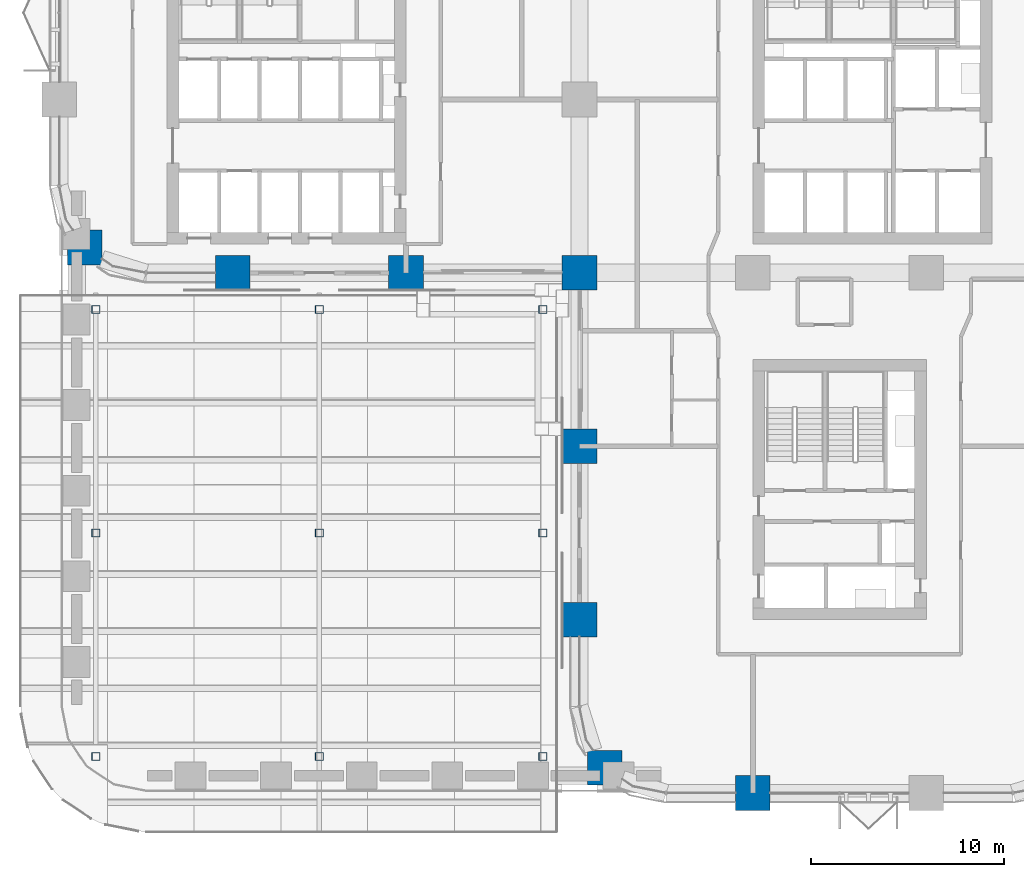
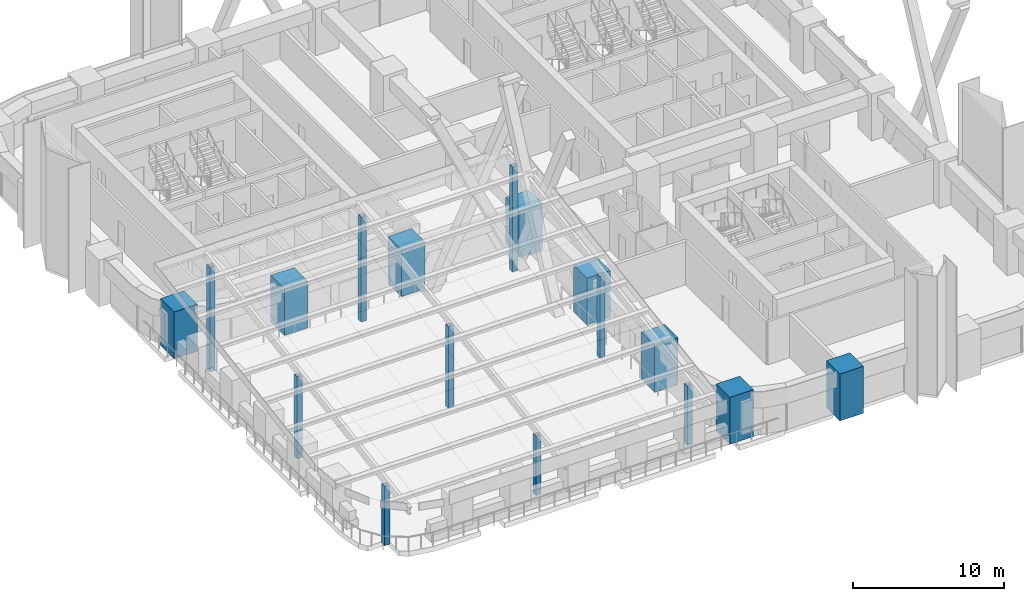
# One storey, part 1 of 22: 17 columns.
"""IFC4 building model written with IfcOpenShell, lengths in metres."""

from ifc_helpers import new_model, si_unit, direction, frame, origin, origin_2d, place, context, subcontext, project, spatial, rectangle, hollow_rectangle, extrude, material, material_profile, profile_set, type_object, element, save


model = new_model("IFC4")

# Units and contexts
model_context = context("Model", 3, precision=1e-05, world=origin(), true_north=direction((0.0, 1.0)))
body_context = subcontext(model_context, "Body", "Model", "MODEL_VIEW")
ifc_project = project(units=[si_unit("LENGTHUNIT", "METRE"), si_unit("AREAUNIT", "SQUARE_METRE"), si_unit("VOLUMEUNIT", "CUBIC_METRE"), si_unit("PLANEANGLEUNIT", "RADIAN"), si_unit("MASSUNIT", "GRAM", prefix="KILO")], contexts=[model_context])

# Site, building, storey
site_placement = place(None, origin())
site = spatial("IfcSite", under=ifc_project, at=site_placement, CompositionType="ELEMENT")
building_placement = place(site_placement, origin())
building = spatial("IfcBuilding", under=site, at=building_placement, Name="Tessera Arch", CompositionType="ELEMENT")
storey_placement = place(building_placement, frame((0.0, 0.0, 77.800048828125)))
storey = spatial("IfcBuildingStorey", under=building, at=storey_placement, Name="L17", CompositionType="ELEMENT", Elevation=77.800048828125)

# Columns
ifc_material_1 = material(Name="Steel A500 Gr C", Category="steel")
ifc_material_profile_1 = material_profile(ifc_material_1, hollow_rectangle(XDim=0.406494140625, YDim=0.406494140625, WallThickness=0.0146484375, at=origin_2d()), Name="HSS16x16x5/8")
ifc_profile_set_1 = profile_set([ifc_material_profile_1], Name="Steel A500 Gr C")
column_type_1 = type_object("IfcColumnType", Name="Crown column HSS16x16x5/8", PredefinedType="COLUMN", material=ifc_profile_set_1)
column_1_placement = place(storey_placement, frame((1.89990234375, 1.89990234375, 0.0), z_axis=(0.0, 0.0, 1.0), x_axis=(1.0, 0.0, 0.0)))
element("IfcColumn", 1, at=column_1_placement, inside=storey, type_object=column_type_1, Name="Crown column T4CC11", PredefinedType="COLUMN", context=body_context, shape_type="SweptSolid", body=[
    extrude(hollow_rectangle(XDim=0.406494140625, YDim=0.406494140625, WallThickness=0.0146484375, at=origin_2d()), origin(), (0.0, 0.0, 1.0), 4.79248046875),
])
column_2_placement = place(storey_placement, frame((1.89990234375, 13.5, 0.0), z_axis=(0.0, 0.0, 1.0), x_axis=(1.0, 0.0, 0.0)))
element("IfcColumn", 2, at=column_2_placement, inside=storey, type_object=column_type_1, Name="Crown column T4CC12", PredefinedType="COLUMN", context=body_context, shape_type="SweptSolid", body=[
    extrude(hollow_rectangle(XDim=0.406494140625, YDim=0.406494140625, WallThickness=0.0146484375, at=origin_2d()), origin(), (0.0, 0.0, 1.0), 6.6298828125),
])
column_3_placement = place(storey_placement, frame((1.89990234375, 25.10009765625, 0.0), z_axis=(0.0, 0.0, 1.0), x_axis=(1.0, 0.0, 0.0)))
element("IfcColumn", 3, at=column_3_placement, inside=storey, type_object=column_type_1, Name="Crown column T4CC13", PredefinedType="COLUMN", context=body_context, shape_type="SweptSolid", body=[
    extrude(hollow_rectangle(XDim=0.406494140625, YDim=0.406494140625, WallThickness=0.0146484375, at=origin_2d()), origin(), (0.0, 0.0, 1.0), 8.467041015625),
])
column_4_placement = place(storey_placement, frame((13.5, 1.89990234375, 0.0), z_axis=(0.0, 0.0, 1.0), x_axis=(1.0, 0.0, 0.0)))
element("IfcColumn", 4, at=column_4_placement, inside=storey, type_object=column_type_1, Name="Crown column T4CC21", PredefinedType="COLUMN", context=body_context, shape_type="SweptSolid", body=[
    extrude(hollow_rectangle(XDim=0.406494140625, YDim=0.406494140625, WallThickness=0.0146484375, at=origin_2d()), origin(), (0.0, 0.0, 1.0), 4.79248046875),
])
column_5_placement = place(storey_placement, frame((13.5, 13.5, 0.0), z_axis=(0.0, 0.0, 1.0), x_axis=(1.0, 0.0, 0.0)))
element("IfcColumn", 5, at=column_5_placement, inside=storey, type_object=column_type_1, Name="Crown column T4CC22", PredefinedType="COLUMN", context=body_context, shape_type="SweptSolid", body=[
    extrude(hollow_rectangle(XDim=0.406494140625, YDim=0.406494140625, WallThickness=0.0146484375, at=origin_2d()), origin(), (0.0, 0.0, 1.0), 6.6298828125),
])
column_6_placement = place(storey_placement, frame((13.5, 25.10009765625, 0.0), z_axis=(0.0, 0.0, 1.0), x_axis=(1.0, 0.0, 0.0)))
element("IfcColumn", 6, at=column_6_placement, inside=storey, type_object=column_type_1, Name="Crown column T4CC23", PredefinedType="COLUMN", context=body_context, shape_type="SweptSolid", body=[
    extrude(hollow_rectangle(XDim=0.406494140625, YDim=0.406494140625, WallThickness=0.0146484375, at=origin_2d()), origin(), (0.0, 0.0, 1.0), 8.467041015625),
])
column_7_placement = place(storey_placement, frame((25.10009765625, 1.89990234375, 0.0), z_axis=(0.0, 0.0, 1.0), x_axis=(1.0, 0.0, 0.0)))
element("IfcColumn", 7, at=column_7_placement, inside=storey, type_object=column_type_1, Name="Crown column T4CC31", PredefinedType="COLUMN", context=body_context, shape_type="SweptSolid", body=[
    extrude(hollow_rectangle(XDim=0.406494140625, YDim=0.406494140625, WallThickness=0.0146484375, at=origin_2d()), origin(), (0.0, 0.0, 1.0), 4.79248046875),
])
column_8_placement = place(storey_placement, frame((25.10009765625, 13.5, 0.0), z_axis=(0.0, 0.0, 1.0), x_axis=(1.0, 0.0, 0.0)))
element("IfcColumn", 8, at=column_8_placement, inside=storey, type_object=column_type_1, Name="Crown column T4CC32", PredefinedType="COLUMN", context=body_context, shape_type="SweptSolid", body=[
    extrude(hollow_rectangle(XDim=0.406494140625, YDim=0.406494140625, WallThickness=0.0146484375, at=origin_2d()), origin(), (0.0, 0.0, 1.0), 6.6298828125),
])
column_9_placement = place(storey_placement, frame((25.10009765625, 25.10009765625, 0.0), z_axis=(0.0, 0.0, 1.0), x_axis=(1.0, 0.0, 0.0)))
element("IfcColumn", 9, at=column_9_placement, inside=storey, type_object=column_type_1, Name="Crown column T4CC33", PredefinedType="COLUMN", context=body_context, shape_type="SweptSolid", body=[
    extrude(hollow_rectangle(XDim=0.406494140625, YDim=0.406494140625, WallThickness=0.0146484375, at=origin_2d()), origin(), (0.0, 0.0, 1.0), 8.467041015625),
])
ifc_material_2 = material(Name="Concrete C80/95", Category="concrete")
ifc_material_profile_2 = material_profile(ifc_material_2, rectangle(XDim=1.800048828125, YDim=1.800048828125, at=origin_2d()), Name="RC column 1800 x 1800 Concrete C80/95")
ifc_profile_set_2 = profile_set([ifc_material_profile_2], Name="Concrete C80/95")
column_type_2 = type_object("IfcColumnType", Name="RC column 1800 x 1800 Concrete C80/95", PredefinedType="COLUMN", material=ifc_profile_set_2)
for number, where, z_axis, x_axis, name in (
    (10, (1.318115234375, 28.318115234375, 0.0), (0.0, 0.0, 1.0), (1.0, 0.0, 0.0), "Column C1D L17"),
    (11, (9.0, 27.0, 0.0), (0.0, 0.0, 1.0), (1.0, 0.0, 0.0), "Column C2D L17"),
    (12, (18.0, 27.0, 0.0), (0.0, 0.0, 1.0), (1.0, 0.0, 0.0), "Column C3D L17"),
    (13, (28.318115234375, 1.318115234375, 0.0), (0.0, 0.0, 1.0), (1.0, 0.0, 0.0), "Column C4A L17"),
    (14, (27.0, 9.0, 0.0), (0.0, 0.0, 1.0), (1.0, 0.0, 0.0), "Column C4B L17"),
    (15, (27.0, 18.0, 0.0), (0.0, 0.0, 1.0), (1.0, 0.0, 0.0), "Column C4C L17"),
    (16, (27.0, 27.0, 0.0), (0.0, 0.0, 1.0), (1.0, 0.0, 0.0), "Column C4D L17"),
    (17, (36.0, 0.0, 0.0), (0.0, 0.0, 1.0), (1.0, 0.0, 0.0), "Column C5A L17"),
):
    element("IfcColumn", number, at=place(storey_placement, frame(where, z_axis=z_axis, x_axis=x_axis)), inside=storey, type_object=column_type_2, Name=name, PredefinedType="COLUMN", context=body_context, shape_type="SweptSolid", body=[
        extrude(rectangle(XDim=1.800048828125, YDim=1.800048828125, at=origin_2d()), origin(), (0.0, 0.0, 1.0), 3.800048828125),
    ])

save(model, "model.ifc")
